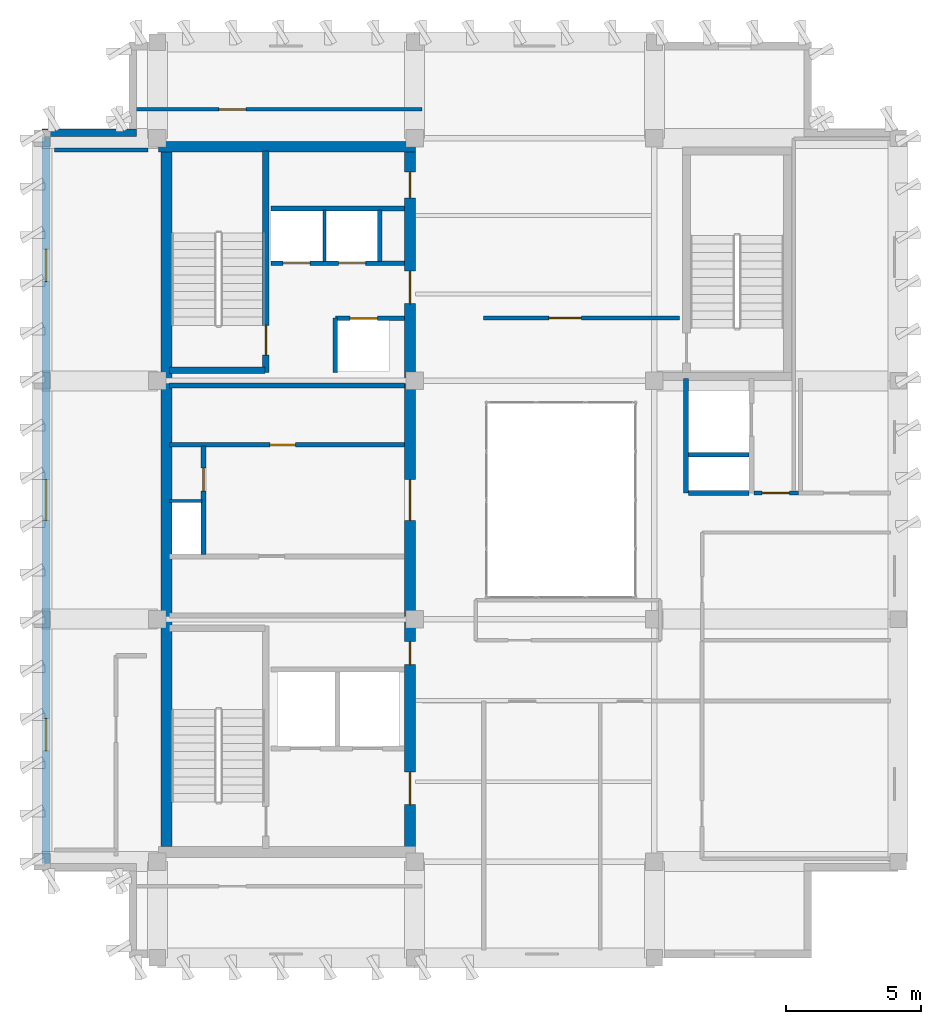
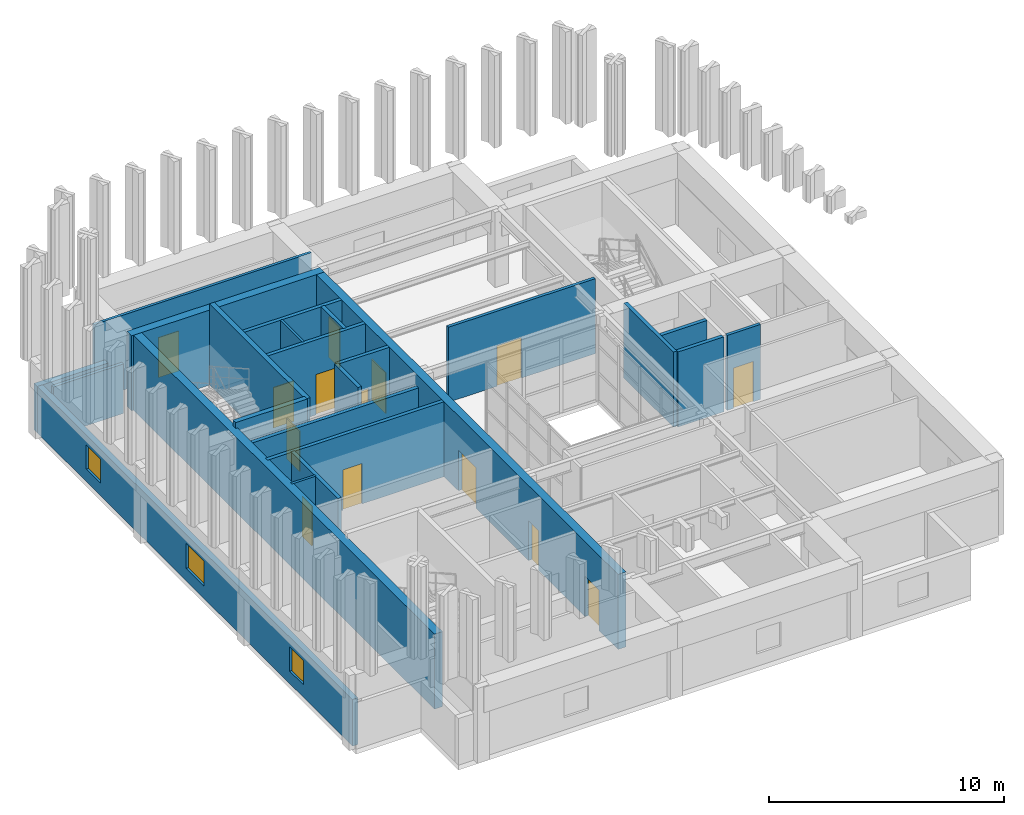
# One storey, part 7 of 11: 24 walls, 14 doors, 3 windows, 17 openings.
"""IFC4 building model written with IfcOpenShell, lengths in metres."""

from ifc_helpers import new_model, si_unit, direction, frame, frame_2d, origin, place, context, subcontext, project, spatial, rectangle, extrude, material, layer, layer_set, type_object, element, fill, save


model = new_model("IFC4")

# Units and contexts
model_context = context("Model", 3, precision=1e-05, world=origin(), true_north=direction((0.0, 1.0)))
body_context = subcontext(model_context, "Body", "Model", "MODEL_VIEW")
ifc_project = project(units=[si_unit("LENGTHUNIT", "METRE"), si_unit("AREAUNIT", "SQUARE_METRE"), si_unit("VOLUMEUNIT", "CUBIC_METRE"), si_unit("PLANEANGLEUNIT", "RADIAN"), si_unit("MASSUNIT", "GRAM", prefix="KILO")], contexts=[model_context])

# Site, building, storey
site_placement = place(None, origin())
site = spatial("IfcSite", under=ifc_project, at=site_placement, CompositionType="ELEMENT")
building_placement = place(site_placement, origin())
building = spatial("IfcBuilding", under=site, at=building_placement, Name="Kundavana Baori Tower", CompositionType="ELEMENT")
storey_placement = place(building_placement, frame((0.0, 0.0, 350.5)))
storey = spatial("IfcBuildingStorey", under=building, at=storey_placement, Name="L87", CompositionType="ELEMENT", Elevation=350.5)

# Walls
ifc_material_1 = material(Name="Concrete C50/60", Category="concrete")
ifc_layer_1 = layer(ifc_material_1, 0.39990234375, Name="WL-CORE-400")
ifc_layer_set_1 = layer_set([ifc_layer_1], Name="Concrete C50/60")
wall_type_1 = type_object("IfcWallType", Name="WL-CORE-400", PredefinedType="SHEAR", material=ifc_layer_set_1)
wall_1_placement = place(storey_placement, frame((15.5, 41.639892578125, 0.0), z_axis=(0.0, 0.0, 1.0), x_axis=(1.0, 0.0, 0.0)))
element("IfcWall", 1, at=wall_1_placement, inside=storey, type_object=wall_type_1, Name="L87 Offset Core North Shear Wall", PredefinedType="SHEAR", context=body_context, shape_type="SweptSolid", body=[
    extrude(rectangle(XDim=9.47998046875, YDim=0.39990234375, at=frame_2d((4.739990234375, 0.0))), origin(), (0.0, 0.0, 1.0), 3.89990234375),
])
wall_2_placement = place(storey_placement, frame((15.7900390625, 15.81005859375, 0.0), z_axis=(0.0, 0.0, 1.0), x_axis=(0.0, 1.0, 0.0)))
element("IfcWall", 2, at=wall_2_placement, inside=storey, type_object=wall_type_1, Name="L87 Offset Core West Shear Wall", PredefinedType="SHEAR", context=body_context, shape_type="SweptSolid", body=[
    extrude(rectangle(XDim=25.6298828125, YDim=0.39990234375, at=frame_2d((12.81494140625, 0.0))), origin(), (0.0, 0.0, 1.0), 3.89990234375),
])

# Wall, openings, doors
wall_3_placement = place(storey_placement, frame((24.780029296875, 15.739990234375, 0.0), z_axis=(0.0, 0.0, 1.0), x_axis=(0.0, 1.0, 0.0)))
wall_3 = element("IfcWall", 3, at=wall_3_placement, inside=storey, type_object=wall_type_1, Name="L87 Offset Core East Shear Wall", PredefinedType="SHEAR", context=body_context, shape_type="SweptSolid", body=[
    extrude(rectangle(XDim=25.760009765625, YDim=0.39990234375, at=frame_2d((12.8798828125, 0.0))), origin(), (0.0, 0.0, 1.0), 3.89990234375),
])
opening_1_placement = place(wall_3_placement, frame((1.610107421875, 0.0, 0.0)))
opening_1 = element("IfcOpeningElement", 4, at=opening_1_placement, cuts=wall_3, Name="Opening FD-120", PredefinedType="OPENING", context=body_context, shape_type="SweptSolid", body=[
    extrude(rectangle(XDim=1.199951171875, YDim=2.10009765625, at=frame_2d((0.60009765625, 1.050048828125))), frame((0.0, 0.2099609375, 0.0), z_axis=(0.0, -1.0, 0.0), x_axis=(1.0, 0.0, 0.0)), (0.0, 0.0, 1.0), 0.419921875),
])
opening_2_placement = place(wall_3_placement, frame((6.780029296875, 0.0, 0.0)))
opening_2 = element("IfcOpeningElement", 5, at=opening_2_placement, cuts=wall_3, Name="Opening FD-085", PredefinedType="OPENING", context=body_context, shape_type="SweptSolid", body=[
    extrude(rectangle(XDim=0.85009765625, YDim=2.06005859375, at=frame_2d((0.425048828125, 1.030029296875))), frame((0.0, 0.2099609375, 0.0), z_axis=(0.0, -1.0, 0.0), x_axis=(1.0, 0.0, 0.0)), (0.0, 0.0, 1.0), 0.419921875),
])
opening_3_placement = place(wall_3_placement, frame((12.110107421875, 0.0, 0.0)))
opening_3 = element("IfcOpeningElement", 6, at=opening_3_placement, cuts=wall_3, Name="Opening FD-150", PredefinedType="OPENING", context=body_context, shape_type="SweptSolid", body=[
    extrude(rectangle(XDim=1.5, YDim=2.1201171875, at=frame_2d((0.75, 1.06005859375))), frame((0.0, 0.2099609375, 0.0), z_axis=(0.0, -1.0, 0.0), x_axis=(1.0, 0.0, 0.0)), (0.0, 0.0, 1.0), 0.419921875),
])
opening_4_placement = place(wall_3_placement, frame((20.110107421875, 0.0, 0.0)))
opening_4 = element("IfcOpeningElement", 7, at=opening_4_placement, cuts=wall_3, Name="Opening FD-122", PredefinedType="OPENING", context=body_context, shape_type="SweptSolid", body=[
    extrude(rectangle(XDim=1.199951171875, YDim=2.1201171875, at=frame_2d((0.60009765625, 1.06005859375))), frame((0.0, 0.2099609375, 0.0), z_axis=(0.0, -1.0, 0.0), x_axis=(1.0, 0.0, 0.0)), (0.0, 0.0, 1.0), 0.419921875),
])
opening_5_placement = place(wall_3_placement, frame((24.010009765625, 0.0, 0.0)))
opening_5 = element("IfcOpeningElement", 8, at=opening_5_placement, cuts=wall_3, Name="Opening FD-095", PredefinedType="OPENING", context=body_context, shape_type="SweptSolid", body=[
    extrude(rectangle(XDim=0.949951171875, YDim=2.10009765625, at=frame_2d((0.47509765625, 1.050048828125))), frame((0.0, 0.2099609375, 0.0), z_axis=(0.0, -1.0, 0.0), x_axis=(1.0, 0.0, 0.0)), (0.0, 0.0, 1.0), 0.419921875),
])
ifc_material_2 = material(Name="Galvanised Steel Fire-Rated Door Leaf", Category="steel")
door_type_1 = type_object("IfcDoorType", Name="DR-FD120-1200", OperationType="NOTDEFINED", PredefinedType="DOOR", material=ifc_material_2)
door_1_placement = place(opening_1_placement, frame((1.199951171875, 0.0, 0.0), z_axis=(0.0, 0.0, 1.0), x_axis=(-1.0, 0.0, 0.0)))
door_1 = element("IfcDoor", 9, at=door_1_placement, inside=storey, type_object=door_type_1, Name="DR-L87-FFLOB-E", OperationType="SINGLE_SWING_RIGHT", OverallHeight=2.10009765625, OverallWidth=1.199951171875, PredefinedType="DOOR", context=body_context, shape_type="SweptSolid", body=[
    extrude(rectangle(XDim=1.199951171875, YDim=2.10009765625, at=frame_2d((0.60009765625, 1.050048828125))), frame((0.0, 0.02490234375, 0.0), z_axis=(0.0, -1.0, 0.0), x_axis=(1.0, 0.0, 0.0)), (0.0, 0.0, 1.0), 0.050048828125),
])
fill(opening_1, door_1)
ifc_material_3 = material(Name="Galvanised Steel Fire-Rated Door Leaf", Category="steel")
door_type_2 = type_object("IfcDoorType", Name="DR-FD60-1200", OperationType="NOTDEFINED", PredefinedType="DOOR", material=ifc_material_3)
door_2_placement = place(opening_4_placement, frame((1.199951171875, 0.0, 0.0), z_axis=(0.0, 0.0, 1.0), x_axis=(-1.0, 0.0, 0.0)))
door_2 = element("IfcDoor", 10, at=door_2_placement, inside=storey, type_object=door_type_2, Name="DR-L87-HRLOB-E", OperationType="SINGLE_SWING_RIGHT", OverallHeight=2.1201171875, OverallWidth=1.199951171875, PredefinedType="DOOR", context=body_context, shape_type="SweptSolid", body=[
    extrude(rectangle(XDim=1.199951171875, YDim=2.1201171875, at=frame_2d((0.60009765625, 1.06005859375))), frame((0.0, 0.02490234375, 0.0), z_axis=(0.0, -1.0, 0.0), x_axis=(1.0, 0.0, 0.0)), (0.0, 0.0, 1.0), 0.050048828125),
])
fill(opening_4, door_2)
ifc_material_4 = material(Name="Galvanised Steel Fire-Rated Door Leaf", Category="steel")
door_type_3 = type_object("IfcDoorType", Name="DR-FD60-1500", OperationType="NOTDEFINED", PredefinedType="DOOR", material=ifc_material_4)
door_3_placement = place(opening_3_placement, frame((1.5, 0.0, 0.0), z_axis=(0.0, 0.0, 1.0), x_axis=(-1.0, 0.0, 0.0)))
door_3 = element("IfcDoor", 11, at=door_3_placement, inside=storey, type_object=door_type_3, Name="DR-L87-LIFTHALL-E", OperationType="SINGLE_SWING_LEFT", OverallHeight=2.1201171875, OverallWidth=1.5, PredefinedType="DOOR", context=body_context, shape_type="SweptSolid", body=[
    extrude(rectangle(XDim=1.5, YDim=2.1201171875, at=frame_2d((0.75, 1.06005859375))), frame((0.0, 0.02490234375, 0.0), z_axis=(0.0, -1.0, 0.0), x_axis=(1.0, 0.0, 0.0)), (0.0, 0.0, 1.0), 0.050048828125),
])
fill(opening_3, door_3)
ifc_material_5 = material(Name="Galvanised Steel Fire-Rated Door Leaf", Category="steel")
door_type_4 = type_object("IfcDoorType", Name="DR-FD60-850", OperationType="NOTDEFINED", PredefinedType="DOOR", material=ifc_material_5)
door_4_placement = place(opening_2_placement, frame((0.85009765625, 0.0, 0.0), z_axis=(0.0, 0.0, 1.0), x_axis=(-1.0, 0.0, 0.0)))
door_4 = element("IfcDoor", 12, at=door_4_placement, inside=storey, type_object=door_type_4, Name="DR-L87-CSMK1", OperationType="SINGLE_SWING_LEFT", OverallHeight=2.06005859375, OverallWidth=0.85009765625, PredefinedType="DOOR", context=body_context, shape_type="SweptSolid", body=[
    extrude(rectangle(XDim=0.85009765625, YDim=2.06005859375, at=frame_2d((0.425048828125, 1.030029296875))), frame((0.0, 0.02490234375, 0.0), z_axis=(0.0, -1.0, 0.0), x_axis=(1.0, 0.0, 0.0)), (0.0, 0.0, 1.0), 0.050048828125),
])
fill(opening_2, door_4)
ifc_material_6 = material(Name="Engineered Teak Fire-Rated Timber Door Leaf", Category="wood")
door_type_5 = type_object("IfcDoorType", Name="DR-FD60-950", OperationType="NOTDEFINED", PredefinedType="DOOR", material=ifc_material_6)
door_5_placement = place(opening_5_placement, frame((0.949951171875, 0.0, 0.0), z_axis=(0.0, 0.0, 1.0), x_axis=(-1.0, 0.0, 0.0)))
door_5 = element("IfcDoor", 13, at=door_5_placement, inside=storey, type_object=door_type_5, Name="DR-L87-CSRV1", OperationType="SINGLE_SWING_LEFT", OverallHeight=2.10009765625, OverallWidth=0.949951171875, PredefinedType="DOOR", context=body_context, shape_type="SweptSolid", body=[
    extrude(rectangle(XDim=0.949951171875, YDim=2.10009765625, at=frame_2d((0.47509765625, 1.050048828125))), frame((0.0, 0.02490234375, 0.0), z_axis=(0.0, -1.0, 0.0), x_axis=(1.0, 0.0, 0.0)), (0.0, 0.0, 1.0), 0.050048828125),
])
fill(opening_5, door_5)

# Wall, opening, door
wall_4_placement = place(storey_placement, frame((19.4599609375, 33.300048828125, 0.0), z_axis=(0.0, 0.0, 1.0), x_axis=(0.0, 1.0, 0.0)))
wall_4 = element("IfcWall", 14, at=wall_4_placement, inside=storey, type_object=wall_type_1, Name="WL-L87-ST2-E", PredefinedType="SHEAR", context=body_context, shape_type="SweptSolid", body=[
    extrude(rectangle(XDim=8.179931640625, YDim=0.239990234375, at=frame_2d((4.08984375, 0.0))), origin(), (0.0, 0.0, 1.0), 4.199951171875),
])
opening_6_placement = place(wall_4_placement, frame((0.64990234375, 0.0, 0.0)))
opening_6 = element("IfcOpeningElement", 15, at=opening_6_placement, cuts=wall_4, Name="Opening FD-110", PredefinedType="OPENING", context=body_context, shape_type="SweptSolid", body=[
    extrude(rectangle(XDim=1.10009765625, YDim=2.10009765625, at=frame_2d((0.550048828125, 1.050048828125))), frame((0.0, 0.1298828125, 0.0), z_axis=(0.0, -1.0, 0.0), x_axis=(1.0, 0.0, 0.0)), (0.0, 0.0, 1.0), 0.260009765625),
])
ifc_material_7 = material(Name="Galvanised Steel Fire-Rated Door Leaf", Category="steel")
door_type_6 = type_object("IfcDoorType", Name="DR-FD120-1100", OperationType="NOTDEFINED", PredefinedType="DOOR", material=ifc_material_7)
door_6_placement = place(opening_6_placement, origin())
door_6 = element("IfcDoor", 16, at=door_6_placement, inside=storey, type_object=door_type_6, Name="DR-L87-ST2", OperationType="SINGLE_SWING_RIGHT", OverallHeight=2.10009765625, OverallWidth=1.10009765625, PredefinedType="DOOR", context=body_context, shape_type="SweptSolid", body=[
    extrude(rectangle(XDim=1.10009765625, YDim=2.10009765625, at=frame_2d((0.550048828125, 1.050048828125))), frame((0.0, 0.02490234375, 0.0), z_axis=(0.0, -1.0, 0.0), x_axis=(1.0, 0.0, 0.0)), (0.0, 0.0, 1.0), 0.050048828125),
])
fill(opening_6, door_6)

# Walls
wall_5_placement = place(storey_placement, frame((15.89990234375, 33.389892578125, 0.0), z_axis=(0.0, 0.0, 1.0), x_axis=(1.0, 0.0, 0.0)))
element("IfcWall", 17, at=wall_5_placement, inside=storey, type_object=wall_type_1, Name="WL-L87-ST2-S", PredefinedType="SHEAR", context=body_context, shape_type="SweptSolid", body=[
    extrude(rectangle(XDim=3.52001953125, YDim=0.239990234375, at=frame_2d((1.760009765625, 0.0))), origin(), (0.0, 0.0, 1.0), 4.199951171875),
])
ifc_material_8 = material(Name="Red-Buff Dholpur Sandstone Cladding on Concrete C40/50", Category="masonry")
ifc_layer_2 = layer(ifc_material_8, 0.280029296875, Name="WL-EXT-SAND-280")
ifc_layer_set_2 = layer_set([ifc_layer_2], Name="Red-Buff Dholpur Sandstone Cladding on Concrete C40/50")
wall_type_2 = type_object("IfcWallType", Name="WL-EXT-SAND-280", PredefinedType="STANDARD", material=ifc_layer_set_2)
wall_6_placement = place(storey_placement, frame((14.679931640625, 42.159912109375, 0.0), z_axis=(0.0, 0.0, 1.0), x_axis=(-1.0, 0.0, 0.0)))
element("IfcWall", 18, at=wall_6_placement, inside=storey, type_object=wall_type_2, Name="L87 Exterior Insulated Facade Wall 09", PredefinedType="STANDARD", context=body_context, shape_type="SweptSolid", body=[
    extrude(rectangle(XDim=3.47998046875, YDim=0.280029296875, at=frame_2d((1.739990234375, 0.0))), origin(), (0.0, 0.0, 1.0), 2.419921875),
])

# Wall, openings, windows
wall_7_placement = place(storey_placement, frame((11.340087890625, 42.02001953125, 0.0), z_axis=(0.0, 0.0, 1.0), x_axis=(0.0, -1.0, 0.0)))
wall_7 = element("IfcWall", 19, at=wall_7_placement, inside=storey, type_object=wall_type_2, Name="L87 Exterior Insulated Facade Wall 10", PredefinedType="STANDARD", context=body_context, shape_type="SweptSolid", body=[
    extrude(rectangle(XDim=26.840087890625, YDim=0.280029296875, at=frame_2d((13.419921875, 0.0))), origin(), (0.0, 0.0, 1.0), 2.419921875),
])
opening_7_placement = place(wall_7_placement, frame((21.47998046875, 0.0, 0.64990234375)))
opening_7 = element("IfcOpeningElement", 20, at=opening_7_placement, cuts=wall_7, Name="Opening W-12", PredefinedType="OPENING", context=body_context, shape_type="SweptSolid", body=[
    extrude(rectangle(XDim=1.199951171875, YDim=1.25, at=frame_2d((0.60009765625, 0.625))), frame((0.0, 0.14990234375, 0.0), z_axis=(0.0, -1.0, 0.0), x_axis=(1.0, 0.0, 0.0)), (0.0, 0.0, 1.0), 0.300048828125),
])
opening_8_placement = place(wall_7_placement, frame((12.669921875, 0.0, 0.64990234375)))
opening_8 = element("IfcOpeningElement", 21, at=opening_8_placement, cuts=wall_7, Name="Opening W-11", PredefinedType="OPENING", context=body_context, shape_type="SweptSolid", body=[
    extrude(rectangle(XDim=1.5, YDim=1.300048828125, at=frame_2d((0.75, 0.64990234375))), frame((0.0, 0.14990234375, 0.0), z_axis=(0.0, -1.0, 0.0), x_axis=(1.0, 0.0, 0.0)), (0.0, 0.0, 1.0), 0.300048828125),
])
opening_9_placement = place(wall_7_placement, frame((4.159912109375, 0.0, 0.64990234375)))
opening_9 = element("IfcOpeningElement", 22, at=opening_9_placement, cuts=wall_7, Name="Opening W-12", PredefinedType="OPENING", context=body_context, shape_type="SweptSolid", body=[
    extrude(rectangle(XDim=1.199951171875, YDim=1.25, at=frame_2d((0.60009765625, 0.625))), frame((0.0, 0.14990234375, 0.0), z_axis=(0.0, -1.0, 0.0), x_axis=(1.0, 0.0, 0.0)), (0.0, 0.0, 1.0), 0.300048828125),
])
ifc_material_9 = material(Name="Double-Glazed Solar-Control Low-E Insulated Glass", Category="glass")
window_type_1 = type_object("IfcWindowType", Name="WIN-TRN-1200x1250", PartitioningType="SINGLE_PANEL", PredefinedType="WINDOW", material=ifc_material_9)
window_1_placement = place(opening_7_placement, origin())
window_1 = element("IfcWindow", 23, at=window_1_placement, inside=storey, type_object=window_type_1, Name="L87 Recessed Loggia Window W-1", OverallHeight=1.25, OverallWidth=1.199951171875, PartitioningType="SINGLE_PANEL", PredefinedType="WINDOW", context=body_context, shape_type="SweptSolid", body=[
    extrude(rectangle(XDim=1.199951171875, YDim=1.25, at=frame_2d((0.60009765625, 0.625))), frame((0.0, 0.030029296875, 0.0), z_axis=(0.0, -1.0, 0.0), x_axis=(1.0, 0.0, 0.0)), (0.0, 0.0, 1.0), 0.06005859375),
])
fill(opening_7, window_1)
window_2_placement = place(opening_9_placement, origin())
window_2 = element("IfcWindow", 24, at=window_2_placement, inside=storey, type_object=window_type_1, Name="L87 Recessed Loggia Window W-3", OverallHeight=1.25, OverallWidth=1.199951171875, PartitioningType="SINGLE_PANEL", PredefinedType="WINDOW", context=body_context, shape_type="SweptSolid", body=[
    extrude(rectangle(XDim=1.199951171875, YDim=1.25, at=frame_2d((0.60009765625, 0.625))), frame((0.0, 0.030029296875, 0.0), z_axis=(0.0, -1.0, 0.0), x_axis=(1.0, 0.0, 0.0)), (0.0, 0.0, 1.0), 0.06005859375),
])
fill(opening_9, window_2)
ifc_material_10 = material(Name="Double-Glazed Solar-Control Low-E Insulated Glass", Category="glass")
window_type_2 = type_object("IfcWindowType", Name="WIN-TRN-1500x1300", PartitioningType="SINGLE_PANEL", PredefinedType="WINDOW", material=ifc_material_10)
window_3_placement = place(opening_8_placement, origin())
window_3 = element("IfcWindow", 25, at=window_3_placement, inside=storey, type_object=window_type_2, Name="L87 Recessed Loggia Window W-2", OverallHeight=1.300048828125, OverallWidth=1.5, PartitioningType="SINGLE_PANEL", PredefinedType="WINDOW", context=body_context, shape_type="SweptSolid", body=[
    extrude(rectangle(XDim=1.5, YDim=1.300048828125, at=frame_2d((0.75, 0.64990234375))), frame((0.0, 0.030029296875, 0.0), z_axis=(0.0, -1.0, 0.0), x_axis=(1.0, 0.0, 0.0)), (0.0, 0.0, 1.0), 0.06005859375),
])
fill(opening_8, window_3)

# Walls
ifc_material_11 = material(Name="Acoustic Gypsum Plasterboard on Galvanised Steel Studs", Category="steel")
ifc_layer_3 = layer(ifc_material_11, 0.1201171875, Name="WL-PART-120")
ifc_layer_set_3 = layer_set([ifc_layer_3], Name="Acoustic Gypsum Plasterboard on Galvanised Steel Studs")
wall_type_3 = type_object("IfcWallType", Name="WL-PART-120", PredefinedType="PARTITIONING", material=ifc_layer_set_3)
wall_8_placement = place(storey_placement, frame((15.89990234375, 28.56005859375, 0.0), z_axis=(0.0, 0.0, 1.0), x_axis=(1.0, 0.0, 0.0)))
element("IfcWall", 26, at=wall_8_placement, inside=storey, type_object=wall_type_3, Name="WL-L87-RSRW-N", PredefinedType="PARTITIONING", context=body_context, shape_type="SweptSolid", body=[
    extrude(rectangle(XDim=1.2001953125, YDim=0.1201171875, at=frame_2d((0.60009765625, 0.0))), origin(), (0.0, 0.0, 1.0), 3.89990234375),
])
wall_9_placement = place(storey_placement, frame((21.6201171875, 37.39990234375, 0.0), z_axis=(0.0, 0.0, 1.0), x_axis=(0.0, 1.0, 0.0)))
element("IfcWall", 27, at=wall_9_placement, inside=storey, type_object=wall_type_3, Name="WL-L87-HR-DIV1", PredefinedType="PARTITIONING", context=body_context, shape_type="SweptSolid", body=[
    extrude(rectangle(XDim=1.900146484375, YDim=0.1201171875, at=frame_2d((0.9501953125, 0.0))), origin(), (0.0, 0.0, 1.0), 3.89990234375),
])

# Wall, opening, door
ifc_material_12 = material(Name="Acoustic Gypsum Plasterboard on Galvanised Steel Studs", Category="steel")
ifc_layer_4 = layer(ifc_material_12, 0.135009765625, Name="WL-PART-135")
ifc_layer_set_4 = layer_set([ifc_layer_4], Name="Acoustic Gypsum Plasterboard on Galvanised Steel Studs")
wall_type_4 = type_object("IfcWallType", Name="WL-PART-135", PredefinedType="PARTITIONING", material=ifc_layer_set_4)
wall_10_placement = place(storey_placement, frame((14.52001953125, 43.02001953125, 0.0), z_axis=(0.0, 0.0, 1.0), x_axis=(1.0, 0.0, 0.0)))
wall_10 = element("IfcWall", 28, at=wall_10_placement, inside=storey, type_object=wall_type_4, Name="WL-L87-NC", PredefinedType="PARTITIONING", context=body_context, shape_type="SweptSolid", body=[
    extrude(rectangle(XDim=10.699951171875, YDim=0.135009765625, at=frame_2d((5.35009765625, 0.0))), origin(), (0.0, 0.0, 1.0), 3.89990234375),
])
opening_10_placement = place(wall_10_placement, frame((3.199951171875, 0.0, 0.0)))
opening_10 = element("IfcOpeningElement", 29, at=opening_10_placement, cuts=wall_10, Name="Opening ID-100", PredefinedType="OPENING", context=body_context, shape_type="SweptSolid", body=[
    extrude(rectangle(XDim=1.0, YDim=2.080078125, at=frame_2d((0.5, 1.0400390625))), frame((0.0, 0.07763671875, 0.0), z_axis=(0.0, -1.0, 0.0), x_axis=(1.0, 0.0, 0.0)), (0.0, 0.0, 1.0), 0.155029296875),
])
ifc_material_13 = material(Name="Engineered Teak Solid-Core Timber Veneer", Category="wood")
door_type_7 = type_object("IfcDoorType", Name="DR-INT-1000", OperationType="NOTDEFINED", PredefinedType="DOOR", material=ifc_material_13)
door_7_placement = place(opening_10_placement, origin())
door_7 = element("IfcDoor", 30, at=door_7_placement, inside=storey, type_object=door_type_7, Name="DR-L87-OBNW", OperationType="SINGLE_SWING_RIGHT", OverallHeight=2.080078125, OverallWidth=1.0, PredefinedType="DOOR", context=body_context, shape_type="SweptSolid", body=[
    extrude(rectangle(XDim=1.0, YDim=2.080078125, at=frame_2d((0.5, 1.0400390625))), frame((0.0, 0.02490234375, 0.0), z_axis=(0.0, -1.0, 0.0), x_axis=(1.0, 0.0, 0.0)), (0.0, 0.0, 1.0), 0.050048828125),
])
fill(opening_10, door_7)

ifc_material_14 = material(Name="Fire-Rated Gypsum Drywall on Galvanised Steel Studs", Category="steel")
ifc_layer_5 = layer(ifc_material_14, 0.14990234375, Name="WL-PART-150")
ifc_layer_set_5 = layer_set([ifc_layer_5], Name="Fire-Rated Gypsum Drywall on Galvanised Steel Studs")
wall_type_5 = type_object("IfcWallType", Name="WL-PART-150", PredefinedType="PARTITIONING", material=ifc_layer_set_5)
wall_11_placement = place(storey_placement, frame((37.47998046875, 28.860107421875, 0.0), z_axis=(0.0, 0.0, 1.0), x_axis=(1.0, 0.0, 0.0)))
wall_11 = element("IfcWall", 31, at=wall_11_placement, inside=storey, type_object=wall_type_5, Name="WL-L87-SVLOB-S", PredefinedType="PARTITIONING", context=body_context, shape_type="SweptSolid", body=[
    extrude(rectangle(XDim=1.64013671875, YDim=0.14990234375, at=frame_2d((0.820068359375, 0.0))), origin(), (0.0, 0.0, 1.0), 3.89990234375),
])
opening_11_placement = place(wall_11_placement, frame((0.300048828125, 0.0, 0.0)))
opening_11 = element("IfcOpeningElement", 32, at=opening_11_placement, cuts=wall_11, Name="Opening FD-100", PredefinedType="OPENING", context=body_context, shape_type="SweptSolid", body=[
    extrude(rectangle(XDim=1.0, YDim=2.10009765625, at=frame_2d((0.5, 1.050048828125))), frame((0.0, 0.0849609375, 0.0), z_axis=(0.0, -1.0, 0.0), x_axis=(1.0, 0.0, 0.0)), (0.0, 0.0, 1.0), 0.169921875),
])
ifc_material_15 = material(Name="Engineered Teak Fire-Rated Timber Door Leaf", Category="wood")
door_type_8 = type_object("IfcDoorType", Name="DR-FD60-1000", OperationType="NOTDEFINED", PredefinedType="DOOR", material=ifc_material_15)
door_8_placement = place(opening_11_placement, origin())
door_8 = element("IfcDoor", 33, at=door_8_placement, inside=storey, type_object=door_type_8, Name="DR-L87-SVLOB-OUT", OperationType="SINGLE_SWING_LEFT", OverallHeight=2.10009765625, OverallWidth=1.0, PredefinedType="DOOR", context=body_context, shape_type="SweptSolid", body=[
    extrude(rectangle(XDim=1.0, YDim=2.10009765625, at=frame_2d((0.5, 1.050048828125))), frame((0.0, 0.02490234375, 0.0), z_axis=(0.0, -1.0, 0.0), x_axis=(1.0, 0.0, 0.0)), (0.0, 0.0, 1.0), 0.050048828125),
])
fill(opening_11, door_8)

# Wall
wall_12_placement = place(storey_placement, frame((11.659912109375, 41.52001953125, 0.0), z_axis=(0.0, 0.0, 1.0), x_axis=(1.0, 0.0, 0.0)))
element("IfcWall", 34, at=wall_12_placement, inside=storey, type_object=wall_type_5, Name="WL-L87-SLWN", PredefinedType="PARTITIONING", context=body_context, shape_type="SweptSolid", body=[
    extrude(rectangle(XDim=3.440185546875, YDim=0.14990234375, at=frame_2d((1.72021484375, 0.0))), origin(), (0.0, 0.0, 1.0), 2.580078125),
])

# Wall, opening, door
wall_13_placement = place(storey_placement, frame((27.5, 35.320068359375, 0.0), z_axis=(0.0, 0.0, 1.0), x_axis=(1.0, 0.0, 0.0)))
wall_13 = element("IfcWall", 35, at=wall_13_placement, inside=storey, type_object=wall_type_5, Name="WL-L87-SLN", PredefinedType="PARTITIONING", context=body_context, shape_type="SweptSolid", body=[
    extrude(rectangle(XDim=7.219970703125, YDim=0.14990234375, at=frame_2d((3.60986328125, 0.0))), origin(), (0.0, 0.0, 1.0), 3.89990234375),
])
opening_12_placement = place(wall_13_placement, frame((2.39990234375, 0.0, 0.0)))
opening_12 = element("IfcOpeningElement", 36, at=opening_12_placement, cuts=wall_13, Name="Opening ID-120", PredefinedType="OPENING", context=body_context, shape_type="SweptSolid", body=[
    extrude(rectangle(XDim=1.199951171875, YDim=2.10009765625, at=frame_2d((0.60009765625, 1.050048828125))), frame((0.0, 0.0849609375, 0.0), z_axis=(0.0, -1.0, 0.0), x_axis=(1.0, 0.0, 0.0)), (0.0, 0.0, 1.0), 0.169921875),
])
ifc_material_16 = material(Name="Engineered Teak Solid-Core Timber Veneer", Category="wood")
door_type_9 = type_object("IfcDoorType", Name="DR-INT-1200", OperationType="NOTDEFINED", PredefinedType="DOOR", material=ifc_material_16)
door_9_placement = place(opening_12_placement, origin())
door_9 = element("IfcDoor", 37, at=door_9_placement, inside=storey, type_object=door_type_9, Name="DR-L87-OBSN", OperationType="SINGLE_SWING_RIGHT", OverallHeight=2.10009765625, OverallWidth=1.199951171875, PredefinedType="DOOR", context=body_context, shape_type="SweptSolid", body=[
    extrude(rectangle(XDim=1.199951171875, YDim=2.10009765625, at=frame_2d((0.60009765625, 1.050048828125))), frame((0.0, 0.02490234375, 0.0), z_axis=(0.0, -1.0, 0.0), x_axis=(1.0, 0.0, 0.0)), (0.0, 0.0, 1.0), 0.050048828125),
])
fill(opening_12, door_9)

ifc_material_17 = material(Name="Autoclaved Aerated Concrete Blockwork Masonry", Category="masonry")
ifc_layer_6 = layer(ifc_material_17, 0.179931640625, Name="WL-SHAFT-180")
ifc_layer_set_6 = layer_set([ifc_layer_6], Name="Autoclaved Aerated Concrete Blockwork Masonry")
wall_type_6 = type_object("IfcWallType", Name="WL-SHAFT-180", PredefinedType="SOLIDWALL", material=ifc_layer_set_6)
wall_14_placement = place(storey_placement, frame((17.159912109375, 26.580078125, 0.0), z_axis=(0.0, 0.0, 1.0), x_axis=(0.0, 1.0, 0.0)))
wall_14 = element("IfcWall", 38, at=wall_14_placement, inside=storey, type_object=wall_type_6, Name="WL-L87-RSRW-E", PredefinedType="SOLIDWALL", context=body_context, shape_type="SweptSolid", body=[
    extrude(rectangle(XDim=4.02001953125, YDim=0.179931640625, at=frame_2d((2.010009765625, 0.0))), origin(), (0.0, 0.0, 1.0), 3.89990234375),
])
opening_13_placement = place(wall_14_placement, frame((2.35009765625, 0.0, 0.0)))
opening_13 = element("IfcOpeningElement", 39, at=opening_13_placement, cuts=wall_14, Name="Opening FD-085", PredefinedType="OPENING", context=body_context, shape_type="SweptSolid", body=[
    extrude(rectangle(XDim=0.85009765625, YDim=2.06005859375, at=frame_2d((0.425048828125, 1.030029296875))), frame((0.0, 0.10009765625, 0.0), z_axis=(0.0, -1.0, 0.0), x_axis=(1.0, 0.0, 0.0)), (0.0, 0.0, 1.0), 0.199951171875),
])
door_10_placement = place(opening_13_placement, origin())
door_10 = element("IfcDoor", 40, at=door_10_placement, inside=storey, type_object=door_type_4, Name="DR-L87-CLN", OperationType="SINGLE_SWING_RIGHT", OverallHeight=2.06005859375, OverallWidth=0.85009765625, PredefinedType="DOOR", context=body_context, shape_type="SweptSolid", body=[
    extrude(rectangle(XDim=0.85009765625, YDim=2.06005859375, at=frame_2d((0.425048828125, 1.030029296875))), frame((0.0, 0.02490234375, 0.0), z_axis=(0.0, -1.0, 0.0), x_axis=(1.0, 0.0, 0.0)), (0.0, 0.0, 1.0), 0.050048828125),
])
fill(opening_13, door_10)

wall_15_placement = place(storey_placement, frame((15.89990234375, 30.639892578125, 0.0), z_axis=(0.0, 0.0, 1.0), x_axis=(1.0, 0.0, 0.0)))
wall_15 = element("IfcWall", 41, at=wall_15_placement, inside=storey, type_object=wall_type_6, Name="WL-L87-LPMID-S", PredefinedType="SOLIDWALL", context=body_context, shape_type="SweptSolid", body=[
    extrude(rectangle(XDim=8.68017578125, YDim=0.179931640625, at=frame_2d((4.340087890625, 0.0))), origin(), (0.0, 0.0, 1.0), 3.89990234375),
])
opening_14_placement = place(wall_15_placement, frame((3.699951171875, 0.0, 0.0)))
opening_14 = element("IfcOpeningElement", 42, at=opening_14_placement, cuts=wall_15, Name="Opening FD-095", PredefinedType="OPENING", context=body_context, shape_type="SweptSolid", body=[
    extrude(rectangle(XDim=0.949951171875, YDim=2.10009765625, at=frame_2d((0.47509765625, 1.050048828125))), frame((0.0, 0.10009765625, 0.0), z_axis=(0.0, -1.0, 0.0), x_axis=(1.0, 0.0, 0.0)), (0.0, 0.0, 1.0), 0.199951171875),
])
door_11_placement = place(opening_14_placement, frame((0.949951171875, 0.0, 0.0), z_axis=(0.0, 0.0, 1.0), x_axis=(-1.0, 0.0, 0.0)))
door_11 = element("IfcDoor", 43, at=door_11_placement, inside=storey, type_object=door_type_5, Name="DR-L87-FRMID1", OperationType="SINGLE_SWING_RIGHT", OverallHeight=2.10009765625, OverallWidth=0.949951171875, PredefinedType="DOOR", context=body_context, shape_type="SweptSolid", body=[
    extrude(rectangle(XDim=0.949951171875, YDim=2.10009765625, at=frame_2d((0.47509765625, 1.050048828125))), frame((0.0, 0.02490234375, 0.0), z_axis=(0.0, -1.0, 0.0), x_axis=(1.0, 0.0, 0.0)), (0.0, 0.0, 1.0), 0.050048828125),
])
fill(opening_14, door_11)

# Wall
wall_16_placement = place(storey_placement, frame((15.89990234375, 32.820068359375, 0.0), z_axis=(0.0, 0.0, 1.0), x_axis=(1.0, 0.0, 0.0)))
element("IfcWall", 44, at=wall_16_placement, inside=storey, type_object=wall_type_6, Name="WL-L87-LPMID-N", PredefinedType="SOLIDWALL", context=body_context, shape_type="SweptSolid", body=[
    extrude(rectangle(XDim=8.68017578125, YDim=0.179931640625, at=frame_2d((4.340087890625, 0.0))), origin(), (0.0, 0.0, 1.0), 3.300048828125),
])

# Wall, opening, door
wall_17_placement = place(storey_placement, frame((22.02001953125, 35.31005859375, 0.0), z_axis=(0.0, 0.0, 1.0), x_axis=(1.0, 0.0, 0.0)))
wall_17 = element("IfcWall", 45, at=wall_17_placement, inside=storey, type_object=wall_type_6, Name="WL-L87-LP11-N", PredefinedType="SOLIDWALL", context=body_context, shape_type="SweptSolid", body=[
    extrude(rectangle(XDim=2.56005859375, YDim=0.179931640625, at=frame_2d((1.280029296875, 0.0))), origin(), (0.0, 0.0, 1.0), 3.89990234375),
])
opening_15_placement = place(wall_17_placement, frame((0.550048828125, 0.0, 0.0)))
opening_15 = element("IfcOpeningElement", 46, at=opening_15_placement, cuts=wall_17, Name="Opening LD-100", PredefinedType="OPENING", context=body_context, shape_type="SweptSolid", body=[
    extrude(rectangle(XDim=1.0, YDim=2.10009765625, at=frame_2d((0.5, 1.050048828125))), frame((0.0, 0.10009765625, 0.0), z_axis=(0.0, -1.0, 0.0), x_axis=(1.0, 0.0, 0.0)), (0.0, 0.0, 1.0), 0.199951171875),
])
ifc_material_18 = material(Name="Galvanised Steel Fire-Rated Door Leaf", Category="steel")
door_type_10 = type_object("IfcDoorType", Name="DR-SLIDE-LD1000", OperationType="NOTDEFINED", PredefinedType="DOOR", material=ifc_material_18)
door_12_placement = place(opening_15_placement, origin())
door_12 = element("IfcDoor", 47, at=door_12_placement, inside=storey, type_object=door_type_10, Name="DR-L87-LD-LP11", OperationType="DOUBLE_DOOR_SLIDING", OverallHeight=2.10009765625, OverallWidth=1.0, PredefinedType="DOOR", context=body_context, shape_type="SweptSolid", body=[
    extrude(rectangle(XDim=1.0, YDim=2.10009765625, at=frame_2d((0.5, 1.050048828125))), frame((0.0, 0.02490234375, 0.0), z_axis=(0.0, -1.0, 0.0), x_axis=(1.0, 0.0, 0.0)), (0.0, 0.0, 1.0), 0.050048828125),
])
fill(opening_15, door_12)

# Wall
wall_18_placement = place(storey_placement, frame((22.02001953125, 33.300048828125, 0.0), z_axis=(0.0, 0.0, 1.0), x_axis=(0.0, 1.0, 0.0)))
element("IfcWall", 48, at=wall_18_placement, inside=storey, type_object=wall_type_6, Name="WL-L87-LP11-W", PredefinedType="SOLIDWALL", context=body_context, shape_type="SweptSolid", body=[
    extrude(rectangle(XDim=2.010009765625, YDim=0.179931640625, at=frame_2d((1.0048828125, 0.0))), origin(), (0.0, 0.0, 1.0), 3.89990234375),
])

# Wall, openings, doors
wall_19_placement = place(storey_placement, frame((19.639892578125, 37.340087890625, 0.0), z_axis=(0.0, 0.0, 1.0), x_axis=(1.0, 0.0, 0.0)))
wall_19 = element("IfcWall", 49, at=wall_19_placement, inside=storey, type_object=wall_type_6, Name="WL-L87-HRLOB-N", PredefinedType="SOLIDWALL", context=body_context, shape_type="SweptSolid", body=[
    extrude(rectangle(XDim=4.940185546875, YDim=0.179931640625, at=frame_2d((2.47021484375, 0.0))), origin(), (0.0, 0.0, 1.0), 3.89990234375),
])
opening_16_placement = place(wall_19_placement, frame((0.449951171875, 0.0, 0.0)))
opening_16 = element("IfcOpeningElement", 50, at=opening_16_placement, cuts=wall_19, Name="Opening LD-100", PredefinedType="OPENING", context=body_context, shape_type="SweptSolid", body=[
    extrude(rectangle(XDim=1.0, YDim=2.10009765625, at=frame_2d((0.5, 1.050048828125))), frame((0.0, 0.10009765625, 0.0), z_axis=(0.0, -1.0, 0.0), x_axis=(1.0, 0.0, 0.0)), (0.0, 0.0, 1.0), 0.199951171875),
])
opening_17_placement = place(wall_19_placement, frame((2.5, 0.0, 0.0)))
opening_17 = element("IfcOpeningElement", 51, at=opening_17_placement, cuts=wall_19, Name="Opening LD-100", PredefinedType="OPENING", context=body_context, shape_type="SweptSolid", body=[
    extrude(rectangle(XDim=1.0, YDim=2.10009765625, at=frame_2d((0.5, 1.050048828125))), frame((0.0, 0.10009765625, 0.0), z_axis=(0.0, -1.0, 0.0), x_axis=(1.0, 0.0, 0.0)), (0.0, 0.0, 1.0), 0.199951171875),
])
door_13_placement = place(opening_16_placement, frame((1.0, 0.0, 0.0), z_axis=(0.0, 0.0, 1.0), x_axis=(-1.0, 0.0, 0.0)))
door_13 = element("IfcDoor", 52, at=door_13_placement, inside=storey, type_object=door_type_10, Name="DR-L87-LD-LP09", OperationType="DOUBLE_DOOR_SLIDING", OverallHeight=2.10009765625, OverallWidth=1.0, PredefinedType="DOOR", context=body_context, shape_type="SweptSolid", body=[
    extrude(rectangle(XDim=1.0, YDim=2.10009765625, at=frame_2d((0.5, 1.050048828125))), frame((0.0, 0.02490234375, 0.0), z_axis=(0.0, -1.0, 0.0), x_axis=(1.0, 0.0, 0.0)), (0.0, 0.0, 1.0), 0.050048828125),
])
fill(opening_16, door_13)
door_14_placement = place(opening_17_placement, frame((1.0, 0.0, 0.0), z_axis=(0.0, 0.0, 1.0), x_axis=(-1.0, 0.0, 0.0)))
door_14 = element("IfcDoor", 53, at=door_14_placement, inside=storey, type_object=door_type_10, Name="DR-L87-LD-LP10", OperationType="DOUBLE_DOOR_SLIDING", OverallHeight=2.10009765625, OverallWidth=1.0, PredefinedType="DOOR", context=body_context, shape_type="SweptSolid", body=[
    extrude(rectangle(XDim=1.0, YDim=2.10009765625, at=frame_2d((0.5, 1.050048828125))), frame((0.0, 0.02490234375, 0.0), z_axis=(0.0, -1.0, 0.0), x_axis=(1.0, 0.0, 0.0)), (0.0, 0.0, 1.0), 0.050048828125),
])
fill(opening_17, door_14)

# Walls
wall_20_placement = place(storey_placement, frame((19.639892578125, 39.360107421875, 0.0), z_axis=(0.0, 0.0, 1.0), x_axis=(1.0, 0.0, 0.0)))
element("IfcWall", 54, at=wall_20_placement, inside=storey, type_object=wall_type_6, Name="WL-L87-HRLOB-TOP", PredefinedType="SOLIDWALL", context=body_context, shape_type="SweptSolid", body=[
    extrude(rectangle(XDim=4.940185546875, YDim=0.179931640625, at=frame_2d((2.47021484375, 0.0))), origin(), (0.0, 0.0, 1.0), 3.89990234375),
])
wall_21_placement = place(storey_placement, frame((23.659912109375, 37.39990234375, 0.0), z_axis=(0.0, 0.0, 1.0), x_axis=(0.0, 1.0, 0.0)))
element("IfcWall", 55, at=wall_21_placement, inside=storey, type_object=wall_type_6, Name="WL-L87-HR-DIV2", PredefinedType="SOLIDWALL", context=body_context, shape_type="SweptSolid", body=[
    extrude(rectangle(XDim=1.900146484375, YDim=0.179931640625, at=frame_2d((0.9501953125, 0.0))), origin(), (0.0, 0.0, 1.0), 3.89990234375),
])
wall_22_placement = place(storey_placement, frame((34.9599609375, 28.860107421875, 0.0), z_axis=(0.0, 0.0, 1.0), x_axis=(0.0, 1.0, 0.0)))
element("IfcWall", 56, at=wall_22_placement, inside=storey, type_object=wall_type_6, Name="WL-L87-SVL-W", PredefinedType="SOLIDWALL", context=body_context, shape_type="SweptSolid", body=[
    extrude(rectangle(XDim=4.219970703125, YDim=0.179931640625, at=frame_2d((2.10986328125, 0.0))), origin(), (0.0, 0.0, 1.0), 3.89990234375),
])
for number, where, z_axis, x_axis, name in (
    (57, (35.050048828125, 28.860107421875, 0.0), (0.0, 0.0, 1.0), (1.0, 0.0, 0.0), "WL-L87-SVL-S"),
    (58, (35.050048828125, 30.27001953125, 0.0), (0.0, 0.0, 1.0), (1.0, 0.0, 0.0), "WL-L87-SVL-M"),
):
    element("IfcWall", number, at=place(storey_placement, frame(where, z_axis=z_axis, x_axis=x_axis)), inside=storey, type_object=wall_type_6, Name=name, PredefinedType="SOLIDWALL", context=body_context, shape_type="SweptSolid", body=[
        extrude(rectangle(XDim=2.25, YDim=0.179931640625, at=frame_2d((1.125, 0.0))), origin(), (0.0, 0.0, 1.0), 3.89990234375),
    ])

save(model, "model.ifc")
